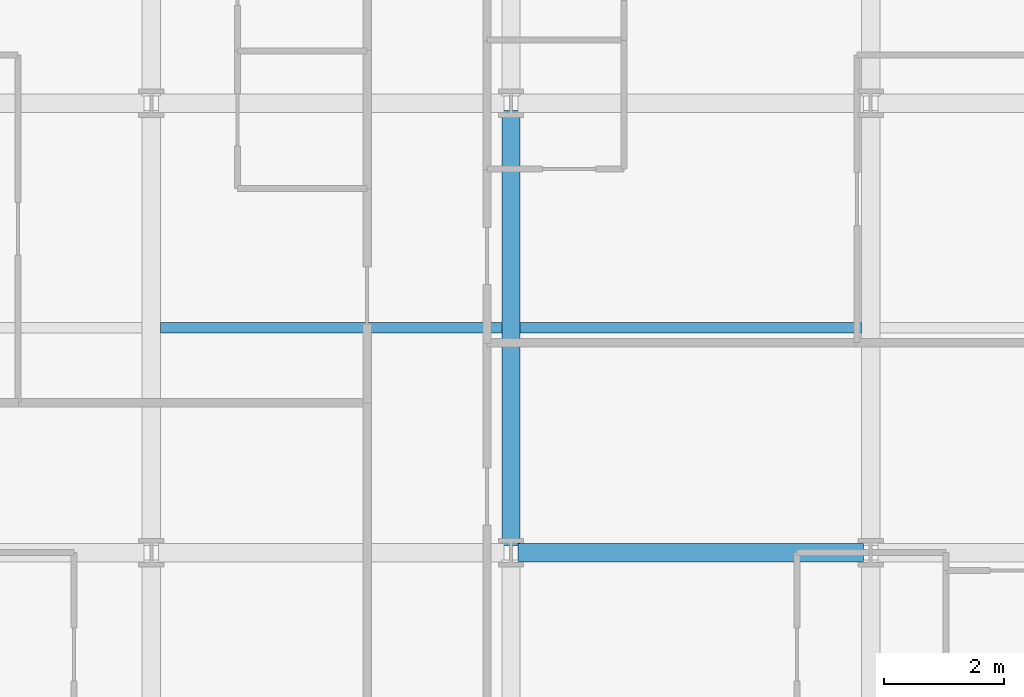
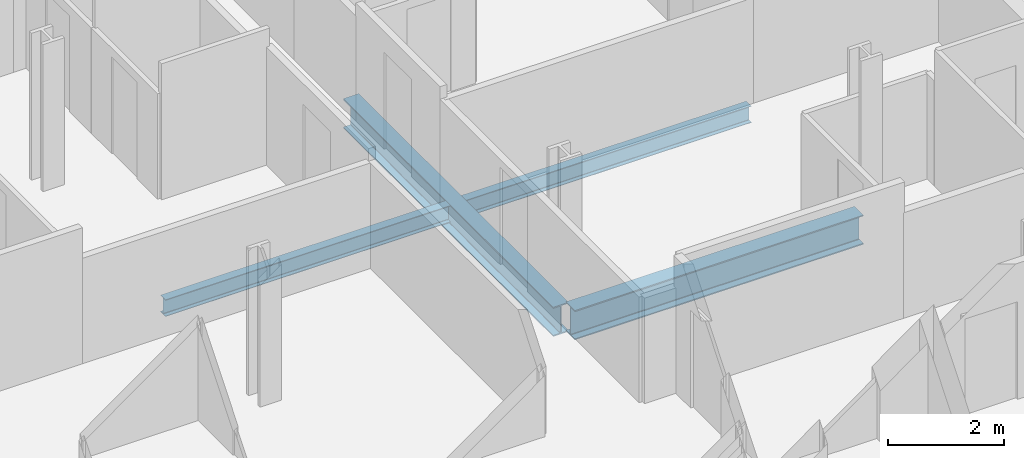
# One storey, part 6 of 41: 4 beams.
"""IFC4 building model written with IfcOpenShell, lengths in metres."""

from ifc_helpers import new_model, si_unit, direction, frame, origin, origin_2d, place, context, subcontext, project, spatial, i_section, extrude, material, material_profile, profile_set, type_object, element, save


model = new_model("IFC4")

# Units and contexts
model_context = context("Model", 3, precision=1e-05, world=origin(), true_north=direction((0.0, 1.0)))
body_context = subcontext(model_context, "Body", "Model", "MODEL_VIEW")
ifc_project = project(units=[si_unit("LENGTHUNIT", "METRE"), si_unit("AREAUNIT", "SQUARE_METRE"), si_unit("VOLUMEUNIT", "CUBIC_METRE"), si_unit("PLANEANGLEUNIT", "RADIAN"), si_unit("MASSUNIT", "GRAM", prefix="KILO")], contexts=[model_context])

# Site, building, storey
site_placement = place(None, origin())
site = spatial("IfcSite", under=ifc_project, at=site_placement, CompositionType="ELEMENT")
building_placement = place(site_placement, origin())
building = spatial("IfcBuilding", under=site, at=building_placement, Name="Brevholm Reach", CompositionType="ELEMENT")
storey_placement = place(building_placement, frame((0.0, 0.0, 55.89990234375)))
storey = spatial("IfcBuildingStorey", under=building, at=storey_placement, Name="L15", CompositionType="ELEMENT", Elevation=55.89990234375)

# Beams
ifc_material_1 = material(Name="Structural Steel S355J2", Category="steel")
ifc_material_profile_1 = material_profile(ifc_material_1, i_section(OverallWidth=0.17138671875, OverallDepth=0.35498046875, WebThickness=0.00732421875, FlangeThickness=0.011474609375, FilletRadius=0.01025390625, at=origin_2d()), Name="UKB 356x171x51")
ifc_profile_set_1 = profile_set([ifc_material_profile_1], Name="Structural Steel S355J2")
beam_type_1 = type_object("IfcBeamType", Name="BM-B356", PredefinedType="BEAM", material=ifc_profile_set_1)
for number, where, z_axis, x_axis, name in (
    (1, (6.153564453125, 19.75, -0.407470703125), (1.0, 0.0, 0.0), (0.0, 1.0, 0.0), "L15 Composite Secondary Floor Beam"),
    (2, (12.153564453125, 19.75, -0.407470703125), (1.0, 0.0, 0.0), (0.0, 1.0, 0.0), "L15 Composite Secondary Floor Beam"),
):
    element("IfcBeam", number, at=place(storey_placement, frame(where, z_axis=z_axis, x_axis=x_axis)), inside=storey, type_object=beam_type_1, Name=name, PredefinedType="BEAM", context=body_context, shape_type="SweptSolid", body=[
        extrude(i_section(OverallWidth=0.17138671875, OverallDepth=0.35498046875, WebThickness=0.00732421875, FlangeThickness=0.011474609375, FilletRadius=0.01025390625, at=origin_2d()), origin(), (0.0, 0.0, 1.0), 5.69287109375),
    ])
ifc_material_2 = material(Name="Structural Steel S355J2", Category="steel")
ifc_material_profile_2 = material_profile(ifc_material_2, i_section(OverallWidth=0.30712890625, OverallDepth=0.6201171875, WebThickness=0.01416015625, FlangeThickness=0.023681640625, FilletRadius=0.0166015625, at=origin_2d()), Name="UKB 610x305x179")
ifc_profile_set_2 = profile_set([ifc_material_profile_2], Name="Structural Steel S355J2")
beam_type_2 = type_object("IfcBeamType", Name="BM-UKB610H", PredefinedType="USERDEFINED", material=ifc_profile_set_2)
beam_1_placement = place(storey_placement, frame((12.1201171875, 16.0, -0.5400390625), z_axis=(1.0, 0.0, 0.0), x_axis=(0.0, 1.0, 0.0)))
element("IfcBeam", 3, at=beam_1_placement, inside=storey, type_object=beam_type_2, Name="L15 G-06 Framing Beam", ObjectType="GIRDER", PredefinedType="USERDEFINED", context=body_context, shape_type="SweptSolid", body=[
    extrude(i_section(OverallWidth=0.30712890625, OverallDepth=0.6201171875, WebThickness=0.01416015625, FlangeThickness=0.023681640625, FilletRadius=0.0166015625, at=origin_2d()), origin(), (0.0, 0.0, 1.0), 5.759765625),
])
beam_2_placement = place(storey_placement, frame((12.0, 16.1201171875, -0.5400390625), z_axis=(0.0, 1.0, 0.0), x_axis=(-1.0, 0.0, 0.0)))
element("IfcBeam", 4, at=beam_2_placement, inside=storey, type_object=beam_type_2, Name="L15 G-06 Framing Beam", ObjectType="GIRDER", PredefinedType="USERDEFINED", context=body_context, shape_type="SweptSolid", body=[
    extrude(i_section(OverallWidth=0.30712890625, OverallDepth=0.6201171875, WebThickness=0.01416015625, FlangeThickness=0.023681640625, FilletRadius=0.0166015625, at=origin_2d()), origin(), (0.0, 0.0, 1.0), 7.259765625),
])

save(model, "model.ifc")
